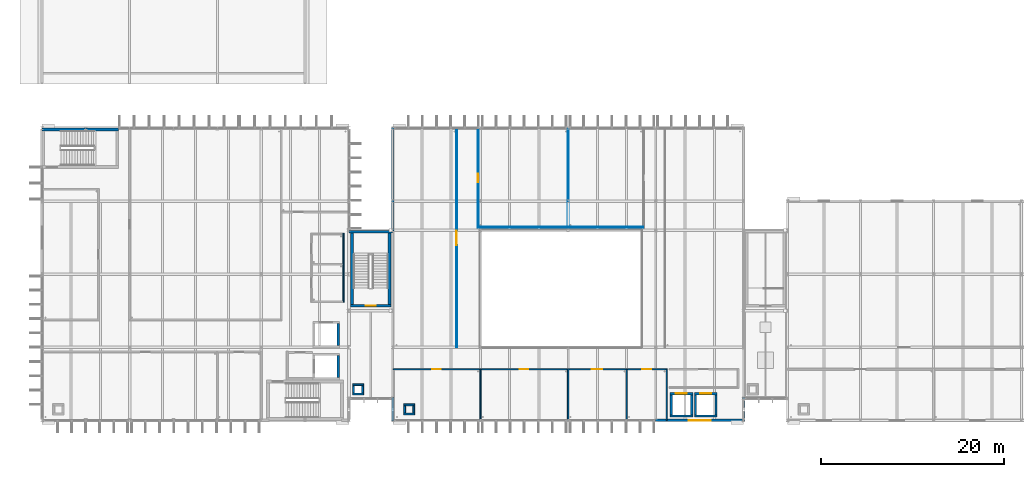
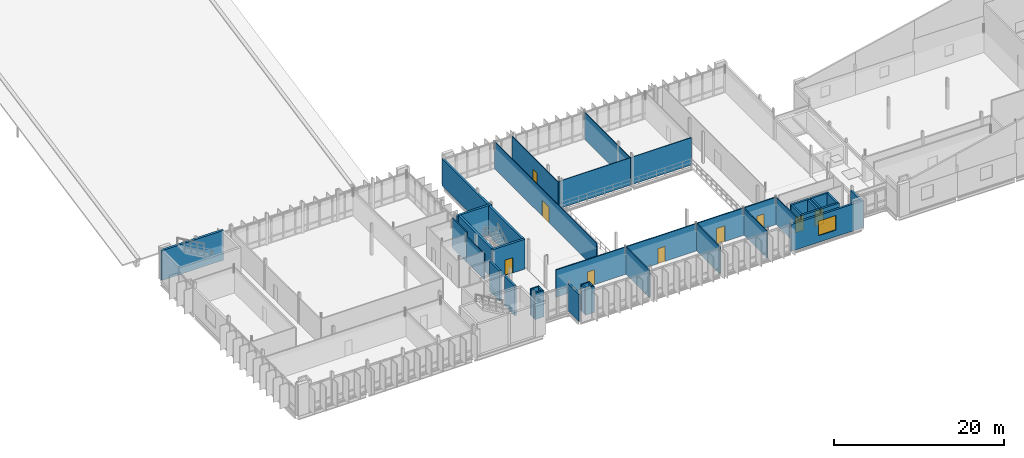
# One storey, part 33 of 59: 42 walls, 9 doors, 1 window, 10 openings.
"""IFC4 building model written with IfcOpenShell, lengths in metres."""

import ifcopenshell
import ifcopenshell.guid

model = None  # the IFC model being written
_history = None  # IfcOwnerHistory: only IFC2X3 demands one
_inside = {}  # id of a spatial element -> (the spatial element, [elements in it])
_under = {}  # id of a project, library or spatial element -> (it, [spatial elements below it])
_declared = {}  # id of a project -> (the project, [libraries it declares])
_typed = {}  # id of a type object -> (the type object, [elements of that type])
_made_of = {}  # id of a material, layer set ... -> (it, [elements and type objects made of it])


def new_model(schema):
    """Start an empty IFC model of exactly this schema.

    Asked for "IFC4X3", IfcOpenShell would pick the latest addendum, in which some entities
    have other attributes; the version numbers below select the first issue.
    IFC2X3 requires an IfcOwnerHistory on every rooted entity: one is made here for all.
    """
    global model, _history
    if schema == "IFC4X3":
        model = ifcopenshell.file(schema_version=(4, 3, 0, 0))
    else:
        model = ifcopenshell.file(schema=schema)
    _inside.clear()
    _under.clear()
    _declared.clear()
    _typed.clear()
    _made_of.clear()
    _history = None
    if model.schema == "IFC2X3":
        org = make("IfcOrganization", Name="unknown")
        user = make(
            "IfcPersonAndOrganization",
            ThePerson=make("IfcPerson", FamilyName="unknown"),
            TheOrganization=org,
        )
        app = make(
            "IfcApplication",
            ApplicationDeveloper=org,
            Version="unknown",
            ApplicationFullName="unknown",
            ApplicationIdentifier="unknown",
        )
        _history = make(
            "IfcOwnerHistory",
            OwningUser=user,
            OwningApplication=app,
            ChangeAction="ADDED",
            CreationDate=0,
        )
    return model


def make(cls, **values):
    """One entity of the class cls with the attributes given. An attribute that is None is left unset."""
    return model.create_entity(
        cls, **{name: value for name, value in values.items() if value is not None}
    )


def rooted(cls, **values):
    """An entity with a GlobalId (a new one), such as an element, a storey or a relation."""
    return make(cls, GlobalId=ifcopenshell.guid.new(), OwnerHistory=_history, **values)


def si_unit(unit_type, name, prefix=None):
    """IfcSIUnit, for example si_unit("LENGTHUNIT", "METRE", prefix="MILLI")."""
    return make("IfcSIUnit", UnitType=unit_type, Prefix=prefix, Name=name)


def assignment(units):
    """IfcUnitAssignment: the units of a project."""
    return None if units is None else make("IfcUnitAssignment", Units=units)


def point(xyz):
    """IfcCartesianPoint."""
    return None if xyz is None else make("IfcCartesianPoint", Coordinates=xyz)


def direction(xyz):
    """IfcDirection."""
    return None if xyz is None else make("IfcDirection", DirectionRatios=xyz)


def frame(location, z_axis=None, x_axis=None):
    """IfcAxis2Placement3D, a coordinate frame: its origin and axes. An axis left out is left unset."""
    return make(
        "IfcAxis2Placement3D",
        Location=point(location),
        Axis=direction(z_axis),
        RefDirection=direction(x_axis),
    )


def frame_2d(location, x_axis=None):
    """IfcAxis2Placement2D, a coordinate frame in the plane: its origin and x axis."""
    return make(
        "IfcAxis2Placement2D", Location=point(location), RefDirection=direction(x_axis)
    )


def origin():
    """The frame at (0, 0, 0) with its axes left unset."""
    return frame((0.0, 0.0, 0.0))


def place(relative_to, where):
    """IfcLocalPlacement: puts the frame where relative to a parent placement (None: the world)."""
    return make(
        "IfcLocalPlacement", PlacementRelTo=relative_to, RelativePlacement=where
    )


def context(
    kind, dimensions, precision=None, world=None, true_north=None, identifier=None
):
    """IfcGeometricRepresentationContext, for example the 3D "Model" context."""
    return make(
        "IfcGeometricRepresentationContext",
        ContextIdentifier=identifier,
        ContextType=kind,
        CoordinateSpaceDimension=dimensions,
        Precision=precision,
        WorldCoordinateSystem=world,
        TrueNorth=true_north,
    )


def subcontext(parent, identifier, kind, view, scale=None):
    """IfcGeometricRepresentationSubContext, for example "Body" below "Model"."""
    return make(
        "IfcGeometricRepresentationSubContext",
        ContextIdentifier=identifier,
        ContextType=kind,
        ParentContext=parent,
        TargetScale=scale,
        TargetView=view,
    )


def project(units=None, contexts=None):
    """IfcProject with its units and contexts."""
    return rooted(
        "IfcProject",
        Name="project",
        RepresentationContexts=contexts,
        UnitsInContext=assignment(units),
    )


def spatial(cls, under=None, at=None, **own):
    """A site, building, storey or space (cls), placed at a placement, below another one or the project."""
    s = rooted(cls, ObjectPlacement=at, **own)
    if under is not None:
        _under.setdefault(under.id(), (under, []))[1].append(s)
    return s


def profile(cls, at=None, kind="AREA", **sizes):
    """A parametric profile (cls). Its sizes go by their IFC names, for example OverallWidth=200.0."""
    return make(cls, ProfileType=kind, Position=at, **sizes)


def rectangle(**sizes):
    """IfcRectangleProfileDef."""
    return profile("IfcRectangleProfileDef", **sizes)


def extrude(swept, where, along, depth):
    """IfcExtrudedAreaSolid: the profile swept, set in the frame where, extruded along a direction by depth."""
    return make(
        "IfcExtrudedAreaSolid",
        SweptArea=swept,
        Position=where,
        ExtrudedDirection=direction(along),
        Depth=depth,
    )


def shape(context_of_items, identifier, shape_type, items):
    """IfcShapeRepresentation: the items that make up one representation, for example the "Body"."""
    return make(
        "IfcShapeRepresentation",
        ContextOfItems=context_of_items,
        RepresentationIdentifier=identifier,
        RepresentationType=shape_type,
        Items=items,
    )


def material(Name=None, Category=None):
    """IfcMaterial."""
    return make("IfcMaterial", Name=Name, Category=Category)


def layer(
    of_material, thickness, ventilated=None, Name=None, Category=None, Priority=None
):
    """IfcMaterialLayer: one layer of a wall or slab, of a material (None: an air gap)."""
    return make(
        "IfcMaterialLayer",
        Material=of_material,
        LayerThickness=thickness,
        IsVentilated=ventilated,
        Name=Name,
        Category=Category,
        Priority=Priority,
    )


def layer_set(layers, Name=None):
    """IfcMaterialLayerSet."""
    return make("IfcMaterialLayerSet", MaterialLayers=layers, LayerSetName=Name)


def made_of(thing, what):
    """Note that an element or type object is made of a material, layer set ...; save() writes the relation."""
    if what is not None:
        _made_of.setdefault(what.id(), (what, []))[1].append(thing)
    return thing


def type_object(cls, material=None, **own):
    """A type object (cls), such as IfcWallType, which elements share."""
    return made_of(rooted(cls, **own), material)


def element(
    cls,
    number,
    at=None,
    inside=None,
    cuts=None,
    type_object=None,
    material=None,
    context=None,
    identifier="Body",
    shape_type=None,
    held_by="IfcProductDefinitionShape",
    body=None,
    shapes=None,
    **own,
):
    """One element of the class cls, such as IfcWall. Its Tag is "e" and its number.

    at: its placement. inside: the storey or other place that contains it. cuts: it is an
    opening in that element (IfcRelVoidsElement). A single representation is given by context,
    identifier, shape_type and body (its items); several are given by shapes. held_by: the class
    of the entity that holds the representations. save() writes the other relations.
    """
    e = rooted(cls, Tag="e%d" % number, ObjectPlacement=at, **own)
    if body is not None:
        shapes = [shape(context, identifier, shape_type, body)]
    if shapes is not None:
        e.Representation = make(held_by, Representations=shapes)
    if inside is not None:
        _inside.setdefault(inside.id(), (inside, []))[1].append(e)
    if cuts is not None:
        rooted(
            "IfcRelVoidsElement", RelatingBuildingElement=cuts, RelatedOpeningElement=e
        )
    if type_object is not None:
        _typed.setdefault(type_object.id(), (type_object, []))[1].append(e)
    return made_of(e, material)


def fill(opening, filler):
    """IfcRelFillsElement: the door or window that sits in an opening."""
    return rooted(
        "IfcRelFillsElement",
        RelatingOpeningElement=opening,
        RelatedBuildingElement=filler,
    )


def aggregate(whole, parts):
    """IfcRelAggregates: a whole, such as a stair, and the parts it consists of."""
    return rooted("IfcRelAggregates", RelatingObject=whole, RelatedObjects=parts)


def save(model, path):
    """Write the relations noted so far, then the file.

    IfcRelAggregates (storeys below a building ...), IfcRelContainedInSpatialStructure (elements
    in a storey), IfcRelDefinesByType, IfcRelAssociatesMaterial and IfcRelDeclares: one each for
    every whole, place, type object, material and project.
    """
    for whole, parts in _under.values():
        aggregate(whole, parts)
    for where, things in _inside.values():
        rooted(
            "IfcRelContainedInSpatialStructure",
            RelatedElements=things,
            RelatingStructure=where,
        )
    for kind, things in _typed.values():
        rooted("IfcRelDefinesByType", RelatedObjects=things, RelatingType=kind)
    for what, things in _made_of.values():
        rooted("IfcRelAssociatesMaterial", RelatedObjects=things, RelatingMaterial=what)
    for by, libraries in _declared.values():
        rooted("IfcRelDeclares", RelatingContext=by, RelatedDefinitions=libraries)
    model.write(path)


model = new_model("IFC4")

# Units and contexts
model_context = context("Model", 3, precision=1e-05, world=origin(), true_north=direction((0.0, 1.0)))
body_context = subcontext(model_context, "Body", "Model", "MODEL_VIEW")
ifc_project = project(units=[si_unit("LENGTHUNIT", "METRE"), si_unit("AREAUNIT", "SQUARE_METRE"), si_unit("VOLUMEUNIT", "CUBIC_METRE"), si_unit("PLANEANGLEUNIT", "RADIAN"), si_unit("MASSUNIT", "GRAM", prefix="KILO")], contexts=[model_context])

# Site, building, storey
site_placement = place(None, origin())
site = spatial("IfcSite", under=ifc_project, at=site_placement, CompositionType="ELEMENT")
building_placement = place(site_placement, origin())
building = spatial("IfcBuilding", under=site, at=building_placement, Name="Dunescarp Central Library", CompositionType="ELEMENT")
storey_placement = place(building_placement, frame((0.0, 0.0, 18.60009765625)))
storey = spatial("IfcBuildingStorey", under=building, at=storey_placement, Name="L04", CompositionType="ELEMENT", Elevation=18.60009765625)

# Wall, opening, door
ifc_material_1 = material(Name="Gypsum plasterboard acoustic partition")
ifc_layer_1 = layer(ifc_material_1, 0.14990234375)
ifc_layer_set_1 = layer_set([ifc_layer_1], Name="Gypsum plasterboard acoustic partition")
wall_type_1 = type_object("IfcWallType", Name="ARC-PT-AC150", PredefinedType="PARTITIONING", material=ifc_layer_set_1)
wall_1_placement = place(storey_placement, frame((38.43994140625, 10.39990234375, 0.0), z_axis=(0.0, 0.0, 1.0), x_axis=(1.0, 0.0, 0.0)))
wall_1 = element("IfcWall", 1, at=wall_1_placement, inside=storey, type_object=wall_type_1, Name="L04 partition PT-L04-0220", PredefinedType="PARTITIONING", context=body_context, shape_type="SweptSolid", body=[
    extrude(rectangle(XDim=9.485107421875, YDim=0.14990234375, at=frame_2d((4.74267578125, 0.0))), origin(), (0.0, 0.0, 1.0), 3.9248046875),
])
opening_1_placement = place(wall_1_placement, frame((4.26806640625, 0.0, 0.0)))
opening_1 = element("IfcOpeningElement", 2, at=opening_1_placement, cuts=wall_1, Name="Opening DR-L04-0089", PredefinedType="OPENING", context=body_context, shape_type="SweptSolid", body=[
    extrude(rectangle(XDim=0.949951171875, YDim=2.14990234375, at=frame_2d((0.47509765625, 1.074951171875))), frame((0.0, 0.0849609375, 0.0), z_axis=(0.0, -1.0, 0.0), x_axis=(1.0, 0.0, 0.0)), (0.0, 0.0, 1.0), 0.169921875),
])
ifc_material_2 = material(Name="Hardwood solid-core timber leaf", Category="wood")
door_type_1 = type_object("IfcDoorType", Name="ARC-DR-INT950", OperationType="NOTDEFINED", PredefinedType="DOOR", material=ifc_material_2)
door_1_placement = place(opening_1_placement, origin())
door_1 = element("IfcDoor", 3, at=door_1_placement, inside=storey, type_object=door_type_1, Name="L04 interior door DR-L04-0089", OperationType="SINGLE_SWING_LEFT", OverallHeight=2.14990234375, OverallWidth=0.949951171875, PredefinedType="DOOR", context=body_context, shape_type="SweptSolid", body=[
    extrude(rectangle(XDim=0.949951171875, YDim=2.14990234375, at=frame_2d((0.47509765625, 1.074951171875))), frame((0.0, 0.02490234375, 0.0), z_axis=(0.0, -1.0, 0.0), x_axis=(1.0, 0.0, 0.0)), (0.0, 0.0, 1.0), 0.050048828125),
])
fill(opening_1, door_1)

# Wall
wall_2_placement = place(storey_placement, frame((48.0, 4.840087890625, 0.0), z_axis=(0.0, 0.0, 1.0), x_axis=(0.0, 1.0, 0.0)))
element("IfcWall", 4, at=wall_2_placement, inside=storey, type_object=wall_type_1, Name="L04 partition PT-L04-0221", PredefinedType="PARTITIONING", context=body_context, shape_type="SweptSolid", body=[
    extrude(rectangle(XDim=5.635009765625, YDim=0.14990234375, at=frame_2d((2.8173828125, 0.0))), origin(), (0.0, 0.0, 1.0), 3.85498046875),
])

# Wall, opening, door
wall_3_placement = place(storey_placement, frame((48.0, 10.39990234375, 0.0), z_axis=(0.0, 0.0, 1.0), x_axis=(1.0, 0.0, 0.0)))
wall_3 = element("IfcWall", 5, at=wall_3_placement, inside=storey, type_object=wall_type_1, Name="L04 partition PT-L04-0222", PredefinedType="PARTITIONING", context=body_context, shape_type="SweptSolid", body=[
    extrude(rectangle(XDim=9.52490234375, YDim=0.14990234375, at=frame_2d((4.762451171875, 0.0))), origin(), (0.0, 0.0, 1.0), 3.9248046875),
])
opening_2_placement = place(wall_3_placement, frame((4.287109375, 0.0, 0.0)))
opening_2 = element("IfcOpeningElement", 6, at=opening_2_placement, cuts=wall_3, Name="Opening DR-L04-0090", PredefinedType="OPENING", context=body_context, shape_type="SweptSolid", body=[
    extrude(rectangle(XDim=0.949951171875, YDim=2.14990234375, at=frame_2d((0.47509765625, 1.074951171875))), frame((0.0, 0.0849609375, 0.0), z_axis=(0.0, -1.0, 0.0), x_axis=(1.0, 0.0, 0.0)), (0.0, 0.0, 1.0), 0.169921875),
])
door_2_placement = place(opening_2_placement, origin())
door_2 = element("IfcDoor", 7, at=door_2_placement, inside=storey, type_object=door_type_1, Name="L04 interior door DR-L04-0090", OperationType="SINGLE_SWING_RIGHT", OverallHeight=2.14990234375, OverallWidth=0.949951171875, PredefinedType="DOOR", context=body_context, shape_type="SweptSolid", body=[
    extrude(rectangle(XDim=0.949951171875, YDim=2.14990234375, at=frame_2d((0.47509765625, 1.074951171875))), frame((0.0, 0.02490234375, 0.0), z_axis=(0.0, -1.0, 0.0), x_axis=(1.0, 0.0, 0.0)), (0.0, 0.0, 1.0), 0.050048828125),
])
fill(opening_2, door_2)

# Wall
wall_4_placement = place(storey_placement, frame((57.60009765625, 4.840087890625, 0.0), z_axis=(0.0, 0.0, 1.0), x_axis=(0.0, 1.0, 0.0)))
element("IfcWall", 8, at=wall_4_placement, inside=storey, type_object=wall_type_1, Name="L04 partition PT-L04-0223", PredefinedType="PARTITIONING", context=body_context, shape_type="SweptSolid", body=[
    extrude(rectangle(XDim=5.635009765625, YDim=0.14990234375, at=frame_2d((2.8173828125, 0.0))), origin(), (0.0, 0.0, 1.0), 3.85498046875),
])

# Wall, opening, door
wall_5_placement = place(storey_placement, frame((57.60009765625, 10.39990234375, 0.0), z_axis=(0.0, 0.0, 1.0), x_axis=(1.0, 0.0, 0.0)))
wall_5 = element("IfcWall", 9, at=wall_5_placement, inside=storey, type_object=wall_type_1, Name="L04 partition PT-L04-0224", PredefinedType="PARTITIONING", context=body_context, shape_type="SweptSolid", body=[
    extrude(rectangle(XDim=6.324951171875, YDim=0.14990234375, at=frame_2d((3.16259765625, 0.0))), origin(), (0.0, 0.0, 1.0), 3.9248046875),
])
opening_3_placement = place(wall_5_placement, frame((2.5869140625, 0.0, 0.0)))
opening_3 = element("IfcOpeningElement", 10, at=opening_3_placement, cuts=wall_5, Name="Opening DR-L04-0091", PredefinedType="OPENING", context=body_context, shape_type="SweptSolid", body=[
    extrude(rectangle(XDim=1.14990234375, YDim=2.25, at=frame_2d((0.574951171875, 1.125))), frame((0.0, 0.0849609375, 0.0), z_axis=(0.0, -1.0, 0.0), x_axis=(1.0, 0.0, 0.0)), (0.0, 0.0, 1.0), 0.169921875),
])
door_type_2 = type_object("IfcDoorType", Name="ARC-DR-STD1150", OperationType="NOTDEFINED", PredefinedType="DOOR", material=ifc_material_2)
door_3_placement = place(opening_3_placement, origin())
door_3 = element("IfcDoor", 11, at=door_3_placement, inside=storey, type_object=door_type_2, Name="L04 interior door DR-L04-0091", OperationType="SINGLE_SWING_LEFT", OverallHeight=2.25, OverallWidth=1.14990234375, PredefinedType="DOOR", context=body_context, shape_type="SweptSolid", body=[
    extrude(rectangle(XDim=1.14990234375, YDim=2.25, at=frame_2d((0.574951171875, 1.125))), frame((0.0, 0.02490234375, 0.0), z_axis=(0.0, -1.0, 0.0), x_axis=(1.0, 0.0, 0.0)), (0.0, 0.0, 1.0), 0.050048828125),
])
fill(opening_3, door_3)

ifc_material_3 = material(Name="Solar-control laminated double glazing", Category="glass")
ifc_layer_2 = layer(ifc_material_3, 0.10009765625)
ifc_layer_set_2 = layer_set([ifc_layer_2], Name="Solar-control laminated double glazing")
wall_type_2 = type_object("IfcWallType", Name="ARC-PT-GLZ100", PredefinedType="MOVABLE", material=ifc_layer_set_2)
wall_6_placement = place(storey_placement, frame((45.39990234375, 12.800048828125, 0.0), z_axis=(0.0, 0.0, 1.0), x_axis=(0.0, 1.0, 0.0)))
wall_6 = element("IfcWall", 12, at=wall_6_placement, inside=storey, type_object=wall_type_2, Name="L04 partition PT-L04-0228", PredefinedType="MOVABLE", context=body_context, shape_type="SweptSolid", body=[
    extrude(rectangle(XDim=23.9599609375, YDim=0.10009765625, at=frame_2d((11.97998046875, 0.0))), origin(), (0.0, 0.0, 1.0), 3.85498046875),
])
opening_4_placement = place(wall_6_placement, frame((11.179931640625, 0.0, 0.0)))
opening_4 = element("IfcOpeningElement", 13, at=opening_4_placement, cuts=wall_6, Name="Opening DR-L04-0093", PredefinedType="OPENING", context=body_context, shape_type="SweptSolid", body=[
    extrude(rectangle(XDim=1.60009765625, YDim=2.25, at=frame_2d((0.800048828125, 1.125))), frame((0.0, 0.06005859375, 0.0), z_axis=(0.0, -1.0, 0.0), x_axis=(1.0, 0.0, 0.0)), (0.0, 0.0, 1.0), 0.1201171875),
])
ifc_material_4 = material(Name="Marine-grade anodised aluminium 6063-T6", Category="aluminium")
door_type_3 = type_object("IfcDoorType", Name="ARC-DR-DBL1600", OperationType="DOUBLE_DOOR_SINGLE_SWING", PredefinedType="DOOR", material=ifc_material_4)
door_4_placement = place(opening_4_placement, origin())
door_4 = element("IfcDoor", 14, at=door_4_placement, inside=storey, type_object=door_type_3, Name="L04 interior door DR-L04-0093", OperationType="DOUBLE_DOOR_SINGLE_SWING", OverallHeight=2.25, OverallWidth=1.60009765625, PredefinedType="DOOR", context=body_context, shape_type="SweptSolid", body=[
    extrude(rectangle(XDim=1.60009765625, YDim=2.25, at=frame_2d((0.800048828125, 1.125))), frame((0.0, 0.02490234375, 0.0), z_axis=(0.0, -1.0, 0.0), x_axis=(1.0, 0.0, 0.0)), (0.0, 0.0, 1.0), 0.050048828125),
])
fill(opening_4, door_4)

# Wall
wall_7_placement = place(storey_placement, frame((47.800048828125, 25.949951171875, 0.0), z_axis=(0.0, 0.0, 1.0), x_axis=(1.0, 0.0, 0.0)))
element("IfcWall", 15, at=wall_7_placement, inside=storey, type_object=wall_type_2, Name="L04 partition PT-L04-0230", PredefinedType="MOVABLE", context=body_context, shape_type="SweptSolid", body=[
    extrude(rectangle(XDim=9.75, YDim=0.10009765625, at=frame_2d((4.875, 0.0))), origin(), (0.0, 0.0, 1.0), 3.9248046875),
])

# Wall, opening, door
wall_8_placement = place(storey_placement, frame((47.75, 25.89990234375, 0.0), z_axis=(0.0, 0.0, 1.0), x_axis=(0.0, 1.0, 0.0)))
wall_8 = element("IfcWall", 16, at=wall_8_placement, inside=storey, type_object=wall_type_2, Name="L04 partition PT-L04-0231", PredefinedType="MOVABLE", context=body_context, shape_type="SweptSolid", body=[
    extrude(rectangle(XDim=10.860107421875, YDim=0.10009765625, at=frame_2d((5.43017578125, 0.0))), origin(), (0.0, 0.0, 1.0), 3.85498046875),
])
opening_5_placement = place(wall_8_placement, frame((4.955078125, 0.0, 0.0)))
opening_5 = element("IfcOpeningElement", 17, at=opening_5_placement, cuts=wall_8, Name="Opening DR-L04-0095", PredefinedType="OPENING", context=body_context, shape_type="SweptSolid", body=[
    extrude(rectangle(XDim=0.949951171875, YDim=2.14990234375, at=frame_2d((0.47509765625, 1.074951171875))), frame((0.0, 0.06005859375, 0.0), z_axis=(0.0, -1.0, 0.0), x_axis=(1.0, 0.0, 0.0)), (0.0, 0.0, 1.0), 0.1201171875),
])
door_5_placement = place(opening_5_placement, origin())
door_5 = element("IfcDoor", 18, at=door_5_placement, inside=storey, type_object=door_type_1, Name="L04 interior door DR-L04-0095", OperationType="SINGLE_SWING_LEFT", OverallHeight=2.14990234375, OverallWidth=0.949951171875, PredefinedType="DOOR", context=body_context, shape_type="SweptSolid", body=[
    extrude(rectangle(XDim=0.949951171875, YDim=2.14990234375, at=frame_2d((0.47509765625, 1.074951171875))), frame((0.0, 0.02490234375, 0.0), z_axis=(0.0, -1.0, 0.0), x_axis=(1.0, 0.0, 0.0)), (0.0, 0.0, 1.0), 0.050048828125),
])
fill(opening_5, door_5)

# Walls
wall_9_placement = place(storey_placement, frame((57.60009765625, 25.89990234375, 0.0), z_axis=(0.0, 0.0, 1.0), x_axis=(0.0, 1.0, 0.0)))
element("IfcWall", 19, at=wall_9_placement, inside=storey, type_object=wall_type_2, Name="L04 partition PT-L04-0232", PredefinedType="MOVABLE", context=body_context, shape_type="SweptSolid", body=[
    extrude(rectangle(XDim=10.860107421875, YDim=0.10009765625, at=frame_2d((5.43017578125, 0.0))), origin(), (0.0, 0.0, 1.0), 3.85498046875),
])
wall_10_placement = place(storey_placement, frame((57.60009765625, 25.949951171875, 0.0), z_axis=(0.0, 0.0, 1.0), x_axis=(1.0, 0.0, 0.0)))
element("IfcWall", 20, at=wall_10_placement, inside=storey, type_object=wall_type_2, Name="L04 partition PT-L04-0233", PredefinedType="MOVABLE", context=body_context, shape_type="SweptSolid", body=[
    extrude(rectangle(XDim=8.199951171875, YDim=0.10009765625, at=frame_2d((4.10009765625, 0.0))), origin(), (0.0, 0.0, 1.0), 3.9248046875),
])
ifc_material_5 = material(Name="Autoclaved aerated concrete block", Category="concrete")
ifc_layer_3 = layer(ifc_material_5, 0.139892578125)
ifc_layer_set_3 = layer_set([ifc_layer_3], Name="Autoclaved aerated concrete block")
wall_type_3 = type_object("IfcWallType", Name="ARC-PT-WET140", PredefinedType="PARTITIONING", material=ifc_layer_set_3)
wall_11_placement = place(storey_placement, frame((33.0, 17.72998046875, 0.0), z_axis=(0.0, 0.0, 1.0), x_axis=(0.0, 1.0, 0.0)))
element("IfcWall", 21, at=wall_11_placement, inside=storey, type_object=wall_type_3, Name="L04 partition PT-L04-0097", PredefinedType="PARTITIONING", context=body_context, shape_type="SweptSolid", body=[
    extrude(rectangle(XDim=4.239990234375, YDim=0.139892578125, at=frame_2d((2.1201171875, 0.0))), origin(), (0.0, 0.0, 1.0), 3.664794921875),
])
wall_12_placement = place(storey_placement, frame((33.0, 21.89990234375, 0.0), z_axis=(0.0, 0.0, 1.0), x_axis=(0.0, 1.0, 0.0)))
element("IfcWall", 22, at=wall_12_placement, inside=storey, type_object=wall_type_3, Name="L04 partition PT-L04-0100", PredefinedType="PARTITIONING", context=body_context, shape_type="SweptSolid", body=[
    extrude(rectangle(XDim=3.3701171875, YDim=0.139892578125, at=frame_2d((1.68505859375, 0.0))), origin(), (0.0, 0.0, 1.0), 4.27978515625),
])

# Wall, opening, door
wall_13_placement = place(storey_placement, frame((64.070068359375, 10.39990234375, 0.0), z_axis=(0.0, 0.0, 1.0), x_axis=(1.0, 0.0, 0.0)))
wall_13 = element("IfcWall", 23, at=wall_13_placement, inside=storey, type_object=wall_type_3, Name="L04 partition PT-L04-0217", PredefinedType="PARTITIONING", context=body_context, shape_type="SweptSolid", body=[
    extrude(rectangle(XDim=4.260009765625, YDim=0.139892578125, at=frame_2d((2.1298828125, 0.0))), origin(), (0.0, 0.0, 1.0), 3.9248046875),
])
opening_6_placement = place(wall_13_placement, frame((1.655029296875, 0.0, 0.0)))
opening_6 = element("IfcOpeningElement", 24, at=opening_6_placement, cuts=wall_13, Name="Opening DR-L04-0088", PredefinedType="OPENING", context=body_context, shape_type="SweptSolid", body=[
    extrude(rectangle(XDim=0.949951171875, YDim=2.10009765625, at=frame_2d((0.47509765625, 1.050048828125))), frame((0.0, 0.080078125, 0.0), z_axis=(0.0, -1.0, 0.0), x_axis=(1.0, 0.0, 0.0)), (0.0, 0.0, 1.0), 0.159912109375),
])
door_type_4 = type_object("IfcDoorType", Name="ARC-DR-WC950", OperationType="NOTDEFINED", PredefinedType="DOOR", material=ifc_material_2)
door_6_placement = place(opening_6_placement, origin())
door_6 = element("IfcDoor", 25, at=door_6_placement, inside=storey, type_object=door_type_4, Name="L04 interior door DR-L04-0088", OperationType="SINGLE_SWING_RIGHT", OverallHeight=2.10009765625, OverallWidth=0.949951171875, PredefinedType="DOOR", context=body_context, shape_type="SweptSolid", body=[
    extrude(rectangle(XDim=0.949951171875, YDim=2.10009765625, at=frame_2d((0.47509765625, 1.050048828125))), frame((0.0, 0.02490234375, 0.0), z_axis=(0.0, -1.0, 0.0), x_axis=(1.0, 0.0, 0.0)), (0.0, 0.0, 1.0), 0.050048828125),
])
fill(opening_6, door_6)

# Walls
for number, where, z_axis, x_axis, name in (
    (26, (64.0, 4.840087890625, 0.0), (0.0, 0.0, 1.0), (0.0, 1.0, 0.0), "L04 partition PT-L04-0218"),
    (27, (68.39990234375, 4.840087890625, 0.0), (0.0, 0.0, 1.0), (0.0, 1.0, 0.0), "L04 partition PT-L04-0219"),
):
    element("IfcWall", number, at=place(storey_placement, frame(where, z_axis=z_axis, x_axis=x_axis)), inside=storey, type_object=wall_type_3, Name=name, PredefinedType="PARTITIONING", context=body_context, shape_type="SweptSolid", body=[
        extrude(rectangle(XDim=5.6298828125, YDim=0.139892578125, at=frame_2d((2.81494140625, 0.0))), origin(), (0.0, 0.0, 1.0), 3.85498046875),
    ])
ifc_material_6 = material(Name="Glass-fibre reinforced concrete GRC", Category="concrete")
ifc_layer_4 = layer(ifc_material_6, 0.260009765625)
ifc_layer_set_4 = layer_set([ifc_layer_4], Name="Glass-fibre reinforced concrete GRC")
wall_type_4 = type_object("IfcWallType", Name="ARC-WL-GRC260", PredefinedType="SOLIDWALL", material=ifc_layer_set_4)
wall_14_placement = place(storey_placement, frame((38.39990234375, 4.715087890625, 0.0), z_axis=(0.0, 0.0, 1.0), x_axis=(0.0, 1.0, 0.0)))
element("IfcWall", 28, at=wall_14_placement, inside=storey, type_object=wall_type_4, Name="L04 external wall EW-V2-055", PredefinedType="SOLIDWALL", context=body_context, shape_type="SweptSolid", body=[
    extrude(rectangle(XDim=2.56982421875, YDim=0.260009765625, at=frame_2d((1.284912109375, 0.0))), origin(), (0.0, 0.0, 1.0), 3.85498046875),
])
wall_15_placement = place(storey_placement, frame((38.39990234375, 25.514892578125, 0.0), z_axis=(0.0, 0.0, 1.0), x_axis=(0.0, 1.0, 0.0)))
element("IfcWall", 29, at=wall_15_placement, inside=storey, type_object=wall_type_4, Name="L04 external wall EW-V2-056", PredefinedType="SOLIDWALL", context=body_context, shape_type="SweptSolid", body=[
    extrude(rectangle(XDim=11.3701171875, YDim=0.260009765625, at=frame_2d((5.68505859375, 0.0))), origin(), (0.0, 0.0, 1.0), 3.85498046875),
])
wall_16_placement = place(storey_placement, frame((76.800048828125, 7.284912109375, 0.0), z_axis=(0.0, 0.0, 1.0), x_axis=(0.0, -1.0, 0.0)))
element("IfcWall", 30, at=wall_16_placement, inside=storey, type_object=wall_type_4, Name="L04 external wall EW-V2-057", PredefinedType="SOLIDWALL", context=body_context, shape_type="SweptSolid", body=[
    extrude(rectangle(XDim=2.56982421875, YDim=0.260009765625, at=frame_2d((1.284912109375, 0.0))), origin(), (0.0, 0.0, 1.0), 3.85498046875),
])

# Wall, opening, window
ifc_layer_5 = layer(ifc_material_6, 0.280029296875)
ifc_layer_set_5 = layer_set([ifc_layer_5], Name="Glass-fibre reinforced concrete GRC")
wall_type_5 = type_object("IfcWallType", Name="ARC-WL-GRC280", PredefinedType="SOLIDWALL", material=ifc_layer_set_5)
wall_17_placement = place(storey_placement, frame((76.885009765625, 4.800048828125, 0.0), z_axis=(0.0, 0.0, 1.0), x_axis=(-1.0, 0.0, 0.0)))
wall_17 = element("IfcWall", 31, at=wall_17_placement, inside=storey, type_object=wall_type_5, Name="L04 external wall EW-V2-054", PredefinedType="SOLIDWALL", context=body_context, shape_type="SweptSolid", body=[
    extrude(rectangle(XDim=9.77001953125, YDim=0.280029296875, at=frame_2d((4.885009765625, 0.0))), origin(), (0.0, 0.0, 1.0), 3.85498046875),
])
opening_7_placement = place(wall_17_placement, frame((3.68505859375, 0.0, 0.949951171875)))
opening_7 = element("IfcOpeningElement", 32, at=opening_7_placement, cuts=wall_17, Name="Opening WN-012", PredefinedType="OPENING", context=body_context, shape_type="SweptSolid", body=[
    extrude(rectangle(XDim=2.39990234375, YDim=2.10009765625, at=frame_2d((1.199951171875, 1.050048828125))), frame((0.0, 0.14990234375, 0.0), z_axis=(0.0, -1.0, 0.0), x_axis=(1.0, 0.0, 0.0)), (0.0, 0.0, 1.0), 0.300048828125),
])
window_type = type_object("IfcWindowType", Name="ARC-WN-2400X2100", PartitioningType="SINGLE_PANEL", PredefinedType="WINDOW", material=ifc_material_3)
window_placement = place(opening_7_placement, origin())
window = element("IfcWindow", 33, at=window_placement, inside=storey, type_object=window_type, Name="L04 window WN-012", OverallHeight=2.10009765625, OverallWidth=2.39990234375, PartitioningType="SINGLE_PANEL", PredefinedType="WINDOW", context=body_context, shape_type="SweptSolid", body=[
    extrude(rectangle(XDim=2.39990234375, YDim=2.10009765625, at=frame_2d((1.199951171875, 1.050048828125))), frame((0.0, 0.030029296875, 0.0), z_axis=(0.0, -1.0, 0.0), x_axis=(1.0, 0.0, 0.0)), (0.0, 0.0, 1.0), 0.06005859375),
])
fill(opening_7, window)

# Walls
ifc_material_7 = material(Name="Concrete C35/45", Category="concrete")
ifc_layer_6 = layer(ifc_material_7, 0.199951171875)
ifc_layer_set_6 = layer_set([ifc_layer_6], Name="Concrete C35/45")
wall_type_6 = type_object("IfcWallType", Name="ARC-WL-RISER200", PredefinedType="PARTITIONING", material=ifc_layer_set_6)
for number, where, z_axis, x_axis, name in (
    (34, (40.800048828125, 5.5, 0.0), (0.0, 0.0, 1.0), (-1.0, 0.0, 0.0), "L04 V2 duct shaft wall S"),
    (35, (39.60009765625, 6.5, 0.0), (0.0, 0.0, 1.0), (1.0, 0.0, 0.0), "L04 V2 duct shaft wall N"),
):
    element("IfcWall", number, at=place(storey_placement, frame(where, z_axis=z_axis, x_axis=x_axis)), inside=storey, type_object=wall_type_6, Name=name, PredefinedType="PARTITIONING", context=body_context, shape_type="SweptSolid", body=[
        extrude(rectangle(XDim=1.199951171875, YDim=0.199951171875, at=frame_2d((0.60009765625, 0.0))), origin(), (0.0, 0.0, 1.0), 3.77978515625),
    ])
for number, where, z_axis, x_axis, name in (
    (36, (39.699951171875, 5.6201171875, 0.0), (0.0, 0.0, 1.0), (0.0, 1.0, 0.0), "L04 V2 duct shaft wall W"),
    (37, (40.699951171875, 6.3798828125, 0.0), (0.0, 0.0, 1.0), (0.0, -1.0, 0.0), "L04 V2 duct shaft wall E"),
):
    element("IfcWall", number, at=place(storey_placement, frame(where, z_axis=z_axis, x_axis=x_axis)), inside=storey, type_object=wall_type_6, Name=name, PredefinedType="PARTITIONING", context=body_context, shape_type="SweptSolid", body=[
        extrude(rectangle(XDim=0.759765625, YDim=0.199951171875, at=frame_2d((0.3798828125, 0.0))), origin(), (0.0, 0.0, 1.0), 3.77978515625),
    ])
for number, where, z_axis, x_axis, name in (
    (38, (35.199951171875, 7.699951171875, 0.0), (0.0, 0.0, 1.0), (-1.0, 0.0, 0.0), "L04 GL1 duct shaft wall S"),
    (39, (34.0, 8.699951171875, 0.0), (0.0, 0.0, 1.0), (1.0, 0.0, 0.0), "L04 GL1 duct shaft wall N"),
):
    element("IfcWall", number, at=place(storey_placement, frame(where, z_axis=z_axis, x_axis=x_axis)), inside=storey, type_object=wall_type_6, Name=name, PredefinedType="PARTITIONING", context=body_context, shape_type="SweptSolid", body=[
        extrude(rectangle(XDim=1.199951171875, YDim=0.199951171875, at=frame_2d((0.60009765625, 0.0))), origin(), (0.0, 0.0, 1.0), 3.77978515625),
    ])
for number, where, z_axis, x_axis, name in (
    (40, (34.10009765625, 7.820068359375, 0.0), (0.0, 0.0, 1.0), (0.0, 1.0, 0.0), "L04 GL1 duct shaft wall W"),
    (41, (35.10009765625, 8.580078125, 0.0), (0.0, 0.0, 1.0), (0.0, -1.0, 0.0), "L04 GL1 duct shaft wall E"),
):
    element("IfcWall", number, at=place(storey_placement, frame(where, z_axis=z_axis, x_axis=x_axis)), inside=storey, type_object=wall_type_6, Name=name, PredefinedType="PARTITIONING", context=body_context, shape_type="SweptSolid", body=[
        extrude(rectangle(XDim=0.760009765625, YDim=0.199951171875, at=frame_2d((0.3798828125, 0.0))), origin(), (0.0, 0.0, 1.0), 3.77978515625),
    ])
ifc_material_8 = material(Name="Concrete C40/50", Category="concrete")
ifc_layer_7 = layer(ifc_material_8, 0.25)
ifc_layer_set_7 = layer_set([ifc_layer_7], Name="Concrete C40/50")
wall_type_7 = type_object("IfcWallType", Name="STR-WL-CORE250", PredefinedType="SHEAR", material=ifc_layer_set_7)
for number, where, z_axis, x_axis, name in (
    (42, (32.425048828125, 11.89990234375, 0.0), (0.0, 0.0, 1.0), (0.0, -1.0, 0.0), "L04 FFL-1 lift shaft wall E"),
    (43, (32.425048828125, 15.39990234375, 0.0), (0.0, 0.0, 1.0), (0.0, -1.0, 0.0), "L04 SL-1 lift shaft wall E"),
):
    element("IfcWall", number, at=place(storey_placement, frame(where, z_axis=z_axis, x_axis=x_axis)), inside=storey, type_object=wall_type_7, Name=name, PredefinedType="SHEAR", context=body_context, shape_type="SweptSolid", body=[
        extrude(rectangle(XDim=2.39990234375, YDim=0.25, at=frame_2d((1.199951171875, 0.0))), origin(), (0.0, 0.0, 1.0), 4.27978515625),
    ])
wall_18_placement = place(storey_placement, frame((71.25, 5.27490234375, 0.0), z_axis=(0.0, 0.0, 1.0), x_axis=(-1.0, 0.0, 0.0)))
element("IfcWall", 44, at=wall_18_placement, inside=storey, type_object=wall_type_7, Name="L04 PL-1 lift shaft wall S", PredefinedType="SHEAR", context=body_context, shape_type="SweptSolid", body=[
    extrude(rectangle(XDim=2.5, YDim=0.25, at=frame_2d((1.25, 0.0))), origin(), (0.0, 0.0, 1.0), 4.27978515625),
])

# Wall, opening, door
wall_19_placement = place(storey_placement, frame((68.75, 7.72509765625, 0.0), z_axis=(0.0, 0.0, 1.0), x_axis=(1.0, 0.0, 0.0)))
wall_19 = element("IfcWall", 45, at=wall_19_placement, inside=storey, type_object=wall_type_7, Name="L04 PL-1 lift shaft wall N", PredefinedType="SHEAR", context=body_context, shape_type="SweptSolid", body=[
    extrude(rectangle(XDim=2.5, YDim=0.25, at=frame_2d((1.25, 0.0))), origin(), (0.0, 0.0, 1.0), 4.27978515625),
])
opening_8_placement = place(wall_19_placement, frame((0.64990234375, 0.0, 0.0)))
opening_8 = element("IfcOpeningElement", 46, at=opening_8_placement, cuts=wall_19, Name="Opening LD-PL-1-L04", PredefinedType="OPENING", context=body_context, shape_type="SweptSolid", body=[
    extrude(rectangle(XDim=1.199951171875, YDim=2.199951171875, at=frame_2d((0.60009765625, 1.10009765625))), frame((0.0, 0.135009765625, 0.0), z_axis=(0.0, -1.0, 0.0), x_axis=(1.0, 0.0, 0.0)), (0.0, 0.0, 1.0), 0.27001953125),
])
ifc_material_9 = material(Name="Stainless steel Grade 316L", Category="steel")
door_type_5 = type_object("IfcDoorType", Name="ARC-DR-LD1200", OperationType="DOUBLE_DOOR_SLIDING", PredefinedType="DOOR", material=ifc_material_9)
door_7_placement = place(opening_8_placement, origin())
door_7 = element("IfcDoor", 47, at=door_7_placement, inside=storey, type_object=door_type_5, Name="L04 PL-1 lift landing door", OperationType="DOUBLE_DOOR_SLIDING", OverallHeight=2.199951171875, OverallWidth=1.199951171875, PredefinedType="DOOR", context=body_context, shape_type="SweptSolid", body=[
    extrude(rectangle(XDim=1.199951171875, YDim=2.199951171875, at=frame_2d((0.60009765625, 1.10009765625))), frame((0.0, 0.02490234375, 0.0), z_axis=(0.0, -1.0, 0.0), x_axis=(1.0, 0.0, 0.0)), (0.0, 0.0, 1.0), 0.050048828125),
])
fill(opening_8, door_7)

# Walls
for number, where, z_axis, x_axis, name in (
    (48, (68.875, 5.39990234375, 0.0), (0.0, 0.0, 1.0), (0.0, 1.0, 0.0), "L04 PL-1 lift shaft wall W"),
    (49, (71.125, 7.60009765625, 0.0), (0.0, 0.0, 1.0), (0.0, -1.0, 0.0), "L04 PL-1 lift shaft wall E"),
):
    element("IfcWall", number, at=place(storey_placement, frame(where, z_axis=z_axis, x_axis=x_axis)), inside=storey, type_object=wall_type_7, Name=name, PredefinedType="SHEAR", context=body_context, shape_type="SweptSolid", body=[
        extrude(rectangle(XDim=2.2001953125, YDim=0.25, at=frame_2d((1.10009765625, 0.0))), origin(), (0.0, 0.0, 1.0), 4.27978515625),
    ])
wall_20_placement = place(storey_placement, frame((73.89990234375, 5.27490234375, 0.0), z_axis=(0.0, 0.0, 1.0), x_axis=(-1.0, 0.0, 0.0)))
element("IfcWall", 50, at=wall_20_placement, inside=storey, type_object=wall_type_7, Name="L04 PL-2 lift shaft wall S", PredefinedType="SHEAR", context=body_context, shape_type="SweptSolid", body=[
    extrude(rectangle(XDim=2.5, YDim=0.25, at=frame_2d((1.25, 0.0))), origin(), (0.0, 0.0, 1.0), 4.27978515625),
])

# Wall, opening, door
wall_21_placement = place(storey_placement, frame((71.39990234375, 7.72509765625, 0.0), z_axis=(0.0, 0.0, 1.0), x_axis=(1.0, 0.0, 0.0)))
wall_21 = element("IfcWall", 51, at=wall_21_placement, inside=storey, type_object=wall_type_7, Name="L04 PL-2 lift shaft wall N", PredefinedType="SHEAR", context=body_context, shape_type="SweptSolid", body=[
    extrude(rectangle(XDim=2.5, YDim=0.25, at=frame_2d((1.25, 0.0))), origin(), (0.0, 0.0, 1.0), 4.27978515625),
])
opening_9_placement = place(wall_21_placement, frame((0.64990234375, 0.0, 0.0)))
opening_9 = element("IfcOpeningElement", 52, at=opening_9_placement, cuts=wall_21, Name="Opening LD-PL-2-L04", PredefinedType="OPENING", context=body_context, shape_type="SweptSolid", body=[
    extrude(rectangle(XDim=1.199951171875, YDim=2.199951171875, at=frame_2d((0.60009765625, 1.10009765625))), frame((0.0, 0.135009765625, 0.0), z_axis=(0.0, -1.0, 0.0), x_axis=(1.0, 0.0, 0.0)), (0.0, 0.0, 1.0), 0.27001953125),
])
door_8_placement = place(opening_9_placement, origin())
door_8 = element("IfcDoor", 53, at=door_8_placement, inside=storey, type_object=door_type_5, Name="L04 PL-2 lift landing door", OperationType="DOUBLE_DOOR_SLIDING", OverallHeight=2.199951171875, OverallWidth=1.199951171875, PredefinedType="DOOR", context=body_context, shape_type="SweptSolid", body=[
    extrude(rectangle(XDim=1.199951171875, YDim=2.199951171875, at=frame_2d((0.60009765625, 1.10009765625))), frame((0.0, 0.02490234375, 0.0), z_axis=(0.0, -1.0, 0.0), x_axis=(1.0, 0.0, 0.0)), (0.0, 0.0, 1.0), 0.050048828125),
])
fill(opening_9, door_8)

# Walls
for number, where, z_axis, x_axis, name in (
    (54, (71.52490234375, 5.39990234375, 0.0), (0.0, 0.0, 1.0), (0.0, 1.0, 0.0), "L04 PL-2 lift shaft wall W"),
    (55, (73.77490234375, 7.60009765625, 0.0), (0.0, 0.0, 1.0), (0.0, -1.0, 0.0), "L04 PL-2 lift shaft wall E"),
):
    element("IfcWall", number, at=place(storey_placement, frame(where, z_axis=z_axis, x_axis=x_axis)), inside=storey, type_object=wall_type_7, Name=name, PredefinedType="SHEAR", context=body_context, shape_type="SweptSolid", body=[
        extrude(rectangle(XDim=2.2001953125, YDim=0.25, at=frame_2d((1.10009765625, 0.0))), origin(), (0.0, 0.0, 1.0), 4.27978515625),
    ])
ifc_layer_8 = layer(ifc_material_8, 0.300048828125)
ifc_layer_set_8 = layer_set([ifc_layer_8], Name="Concrete C40/50")
wall_type_8 = type_object("IfcWallType", Name="STR-WL-CORE300", PredefinedType="SHEAR", material=ifc_layer_set_8)
wall_22_placement = place(storey_placement, frame((0.0, 36.64990234375, 0.0), z_axis=(0.0, 0.0, 1.0), x_axis=(1.0, 0.0, 0.0)))
element("IfcWall", 56, at=wall_22_placement, inside=storey, type_object=wall_type_8, Name="L04 ST-6 north core wall", PredefinedType="SHEAR", context=body_context, shape_type="SweptSolid", body=[
    extrude(rectangle(XDim=8.39990234375, YDim=0.300048828125, at=frame_2d((4.199951171875, 0.0))), origin(), (0.0, 0.0, 1.0), 4.27978515625),
])

# Wall, opening, door
wall_23_placement = place(storey_placement, frame((38.199951171875, 17.35009765625, 0.0), z_axis=(0.0, 0.0, 1.0), x_axis=(-1.0, 0.0, 0.0)))
wall_23 = element("IfcWall", 57, at=wall_23_placement, inside=storey, type_object=wall_type_8, Name="L04 ST-2 south core wall", PredefinedType="SHEAR", context=body_context, shape_type="SweptSolid", body=[
    extrude(rectangle(XDim=4.39990234375, YDim=0.300048828125, at=frame_2d((2.199951171875, 0.0))), origin(), (0.0, 0.0, 1.0), 4.27978515625),
])
opening_10_placement = place(wall_23_placement, frame((1.64990234375, 0.0, 0.0)))
opening_10 = element("IfcOpeningElement", 58, at=opening_10_placement, cuts=wall_23, Name="Opening D-ST-2-L04", PredefinedType="OPENING", context=body_context, shape_type="SweptSolid", body=[
    extrude(rectangle(XDim=1.10009765625, YDim=2.199951171875, at=frame_2d((0.550048828125, 1.10009765625))), frame((0.0, 0.16015625, 0.0), z_axis=(0.0, -1.0, 0.0), x_axis=(1.0, 0.0, 0.0)), (0.0, 0.0, 1.0), 0.320068359375),
])
ifc_material_10 = material(Name="Galvanised steel FD120S", Category="steel")
door_type_6 = type_object("IfcDoorType", Name="ARC-DR-STAIR", OperationType="NOTDEFINED", PredefinedType="DOOR", material=ifc_material_10)
door_9_placement = place(opening_10_placement, origin())
door_9 = element("IfcDoor", 59, at=door_9_placement, inside=storey, type_object=door_type_6, Name="L04 ST-2 fire stair door", OperationType="SINGLE_SWING_RIGHT", OverallHeight=2.199951171875, OverallWidth=1.10009765625, PredefinedType="DOOR", context=body_context, shape_type="SweptSolid", body=[
    extrude(rectangle(XDim=1.10009765625, YDim=2.199951171875, at=frame_2d((0.550048828125, 1.10009765625))), frame((0.0, 0.02490234375, 0.0), z_axis=(0.0, -1.0, 0.0), x_axis=(1.0, 0.0, 0.0)), (0.0, 0.0, 1.0), 0.050048828125),
])
fill(opening_10, door_9)

# Walls
wall_24_placement = place(storey_placement, frame((33.6201171875, 25.449951171875, 0.0), z_axis=(0.0, 0.0, 1.0), x_axis=(1.0, 0.0, 0.0)))
element("IfcWall", 60, at=wall_24_placement, inside=storey, type_object=wall_type_8, Name="L04 ST-2 north core wall", PredefinedType="SHEAR", context=body_context, shape_type="SweptSolid", body=[
    extrude(rectangle(XDim=4.759765625, YDim=0.300048828125, at=frame_2d((2.3798828125, 0.0))), origin(), (0.0, 0.0, 1.0), 4.27978515625),
])
for number, where, z_axis, x_axis, name in (
    (61, (33.949951171875, 17.5, 0.0), (0.0, 0.0, 1.0), (0.0, 1.0, 0.0), "L04 ST-2 west core wall"),
    (62, (38.050048828125, 25.300048828125, 0.0), (0.0, 0.0, 1.0), (0.0, -1.0, 0.0), "L04 ST-2 east core wall"),
):
    element("IfcWall", number, at=place(storey_placement, frame(where, z_axis=z_axis, x_axis=x_axis)), inside=storey, type_object=wall_type_8, Name=name, PredefinedType="SHEAR", context=body_context, shape_type="SweptSolid", body=[
        extrude(rectangle(XDim=7.800048828125, YDim=0.300048828125, at=frame_2d((3.89990234375, 0.0))), origin(), (0.0, 0.0, 1.0), 4.27978515625),
    ])

save(model, "model.ifc")
